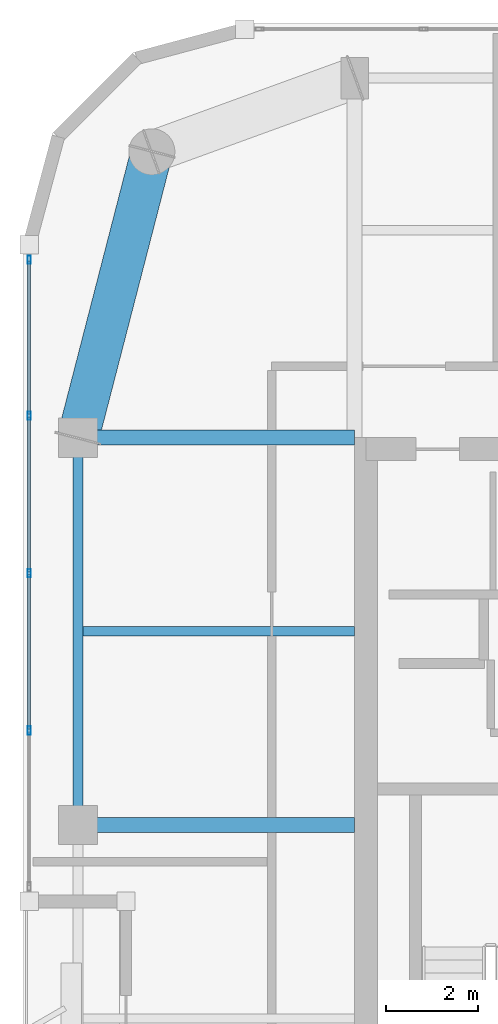
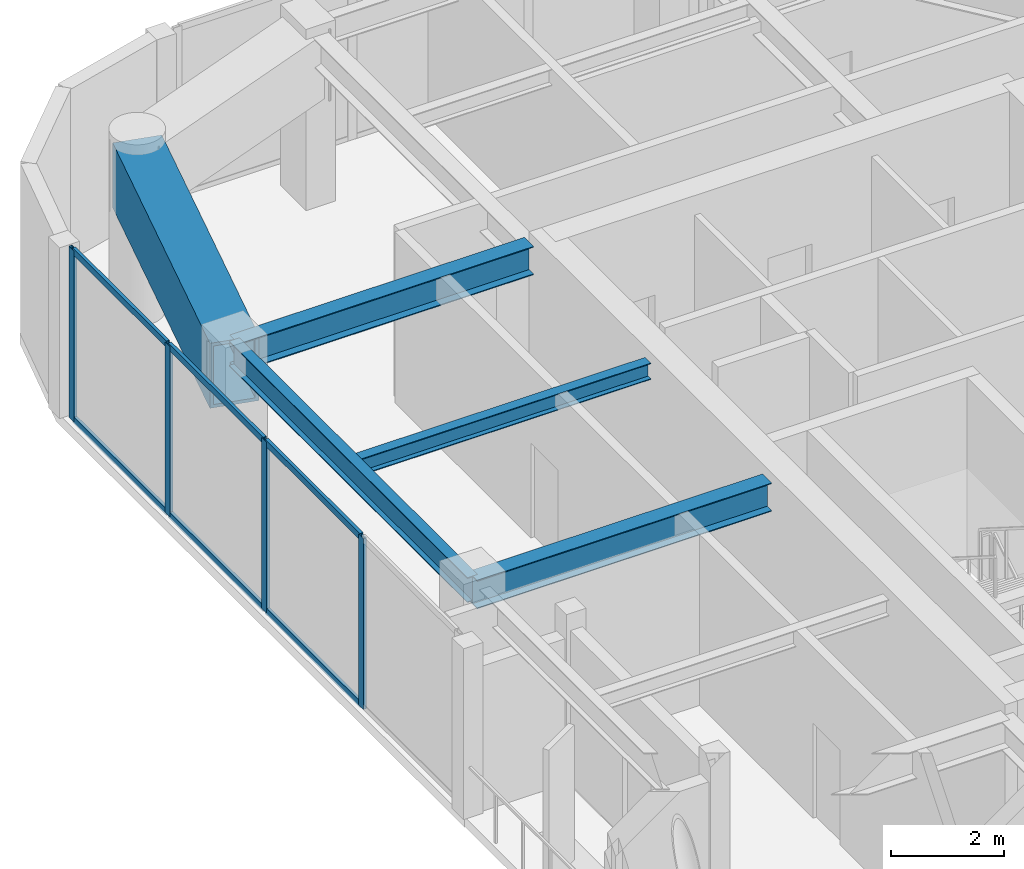
# One storey, part 4 of 16: 10 members, 5 beams, 1 element without a shape of its own.
"""IFC4 building model written with IfcOpenShell, lengths in metres."""

from ifc_helpers import new_model, si_unit, direction, frame, origin, origin_2d, place, context, subcontext, project, spatial, hollow_rectangle, i_section, extrude, material, layer, layer_set, material_profile, profile_set, type_object, element, aggregate, save


model = new_model("IFC4")

# Units and contexts
model_context = context("Model", 3, precision=1e-05, world=origin(), true_north=direction((0.0, 1.0)))
body_context = subcontext(model_context, "Body", "Model", "MODEL_VIEW")
ifc_project = project(units=[si_unit("LENGTHUNIT", "METRE"), si_unit("AREAUNIT", "SQUARE_METRE"), si_unit("VOLUMEUNIT", "CUBIC_METRE"), si_unit("PLANEANGLEUNIT", "RADIAN"), si_unit("MASSUNIT", "GRAM", prefix="KILO")], contexts=[model_context])

# Site, building, storey
site_placement = place(None, origin())
site = spatial("IfcSite", under=ifc_project, at=site_placement, CompositionType="ELEMENT")
building_placement = place(site_placement, origin())
building = spatial("IfcBuilding", under=site, at=building_placement, Name="Kiyonajd Concourse Tower", CompositionType="ELEMENT")
storey_placement = place(building_placement, frame((0.0, 0.0, 329.699951171875)))
storey = spatial("IfcBuildingStorey", under=building, at=storey_placement, Name="L83", CompositionType="ELEMENT", Elevation=329.699951171875)

# Beams
ifc_material_1 = material(Name="Steel ASTM A992 Grade 50", Category="steel")
ifc_material_profile_1 = material_profile(ifc_material_1, i_section(OverallWidth=0.205078125, OverallDepth=0.35400390625, WebThickness=0.009521484375, FlangeThickness=0.016845703125, at=origin_2d()), Name="W360X79")
ifc_profile_set_1 = profile_set([ifc_material_profile_1], Name="Steel ASTM A992 Grade 50")
beam_type_1 = type_object("IfcBeamType", Name="BM-JST-360", PredefinedType="JOIST", material=ifc_profile_set_1)
beam_1_placement = place(storey_placement, frame((26.505615234375, 40.199951171875, 3.5029296875), z_axis=(1.0, 0.0, 0.0), x_axis=(0.0, 1.0, 0.0)))
element("IfcBeam", 1, at=beam_1_placement, inside=storey, type_object=beam_type_1, Name="L83 West Secondary Floor Joist", PredefinedType="JOIST", context=body_context, shape_type="SweptSolid", body=[
    extrude(i_section(OverallWidth=0.205078125, OverallDepth=0.35400390625, WebThickness=0.009521484375, FlangeThickness=0.016845703125, at=origin_2d()), origin(), (0.0, 0.0, 1.0), 5.894287109375),
])
ifc_material_profile_2 = material_profile(ifc_material_1, i_section(OverallWidth=0.2109375, OverallDepth=0.5390625, WebThickness=0.01171875, FlangeThickness=0.018798828125, at=origin_2d()), Name="W530X109")
ifc_profile_set_2 = profile_set([ifc_material_profile_2], Name="Steel ASTM A992 Grade 50")
beam_type_2 = type_object("IfcBeamType", Name="BM-SPAN-530B", PredefinedType="SPANDREL", material=ifc_profile_set_2)
beam_2_placement = place(storey_placement, frame((26.39990234375, 44.39990234375, 3.41064453125), z_axis=(0.0, -1.0, 0.0), x_axis=(1.0, 0.0, 0.0)))
element("IfcBeam", 2, at=beam_2_placement, inside=storey, type_object=beam_type_2, Name="L83 Perimeter Bundled Tube Spandrel", PredefinedType="SPANDREL", context=body_context, shape_type="SweptSolid", body=[
    extrude(i_section(OverallWidth=0.2109375, OverallDepth=0.5390625, WebThickness=0.01171875, FlangeThickness=0.018798828125, at=origin_2d()), origin(), (0.0, 0.0, 1.0), 8.39990234375),
])
ifc_material_profile_3 = material_profile(ifc_material_1, i_section(OverallWidth=0.323974609375, OverallDepth=0.611083984375, WebThickness=0.0126953125, FlangeThickness=0.01904296875, at=origin_2d()), Name="W610X155")
ifc_profile_set_3 = profile_set([ifc_material_profile_3], Name="Steel ASTM A992 Grade 50")
beam_type_3 = type_object("IfcBeamType", Name="BM-TWR-610B", PredefinedType="BEAM", material=ifc_profile_set_3)
for number, where, z_axis, x_axis, name in (
    (3, (26.39990234375, 36.0, 3.37451171875), (1.0, 0.0, 0.0), (0.0, 1.0, 0.0), "L83 West Lease Girder"),
    (4, (26.39990234375, 44.39990234375, 3.37451171875), (1.0, 0.0, 0.0), (0.0, 1.0, 0.0), "L83 West Lease Girder"),
):
    element("IfcBeam", number, at=place(storey_placement, frame(where, z_axis=z_axis, x_axis=x_axis)), inside=storey, type_object=beam_type_3, Name=name, PredefinedType="BEAM", context=body_context, shape_type="SweptSolid", body=[
        extrude(i_section(OverallWidth=0.323974609375, OverallDepth=0.611083984375, WebThickness=0.0126953125, FlangeThickness=0.01904296875, at=origin_2d()), origin(), (0.0, 0.0, 1.0), 6.0),
    ])
ifc_material_2 = material(Name="Steel ASTM A572 Grade 50", Category="steel")
ifc_material_profile_4 = material_profile(ifc_material_2, hollow_rectangle(XDim=0.89990234375, YDim=1.39990234375, WallThickness=0.070068359375, at=origin_2d()), Name="BOX-1400x900x70")
ifc_profile_set_4 = profile_set([ifc_material_profile_4], Name="Steel ASTM A572 Grade 50")
beam_type_4 = type_object("IfcBeamType", Name="BM-XFER-1400", PredefinedType="BEAM", material=ifc_profile_set_4)
beam_3_placement = place(storey_placement, frame((28.0, 50.60009765625, 2.97998046875), z_axis=(-0.249884937687, -0.968275538221, 0.0), x_axis=(0.968275538221, -0.249884937687, 0.0)))
element("IfcBeam", 5, at=beam_3_placement, inside=storey, type_object=beam_type_4, Name="L83 Perimeter Bundled Tube Spandrel", PredefinedType="BEAM", context=body_context, shape_type="SweptSolid", body=[
    extrude(hollow_rectangle(XDim=0.89990234375, YDim=1.39990234375, WallThickness=0.070068359375, at=origin_2d()), origin(), (0.0, 0.0, 1.0), 6.4033203125),
])

# Curtain wall, members
ifc_material_3 = material(Name="Thermally Broken Anodised Aluminium", Category="aluminium")
ifc_layer = layer(ifc_material_3, 0.179931640625)
ifc_layer_set = layer_set([ifc_layer], Name="Thermally Broken Anodised Aluminium")
curtain_wall_type = type_object("IfcCurtainWallType", Name="CW-SYS-04", PredefinedType="NOTDEFINED", material=ifc_layer_set)
curtain_wall_placement = place(storey_placement, origin())
curtain_wall = element("IfcCurtainWall", 6, at=curtain_wall_placement, inside=storey, type_object=curtain_wall_type, Name="L83 Unitised Curtain Wall CW4", PredefinedType="NOTDEFINED")
ifc_material_profile_5 = material_profile(ifc_material_3, hollow_rectangle(XDim=0.06494140625, YDim=0.179931640625, WallThickness=0.00390625, at=origin_2d()), Name="MULL-65x180")
ifc_profile_set_5 = profile_set([ifc_material_profile_5], Name="Thermally Broken Anodised Aluminium")
member_type_1 = type_object("IfcMemberType", Name="MB-CW-MULL1", PredefinedType="MULLION", material=ifc_profile_set_5)
member_1_placement = place(storey_placement, frame((25.340087890625, 38.04541015625, 0.0), z_axis=(0.0, 0.0, 1.0), x_axis=(-1.0, 0.0, 0.0)))
member_1 = element("IfcMember", 7, at=member_1_placement, type_object=member_type_1, Name="CW4 mullion 2", PredefinedType="MULLION", context=body_context, shape_type="SweptSolid", body=[
    extrude(hollow_rectangle(XDim=0.06494140625, YDim=0.179931640625, WallThickness=0.00390625, at=origin_2d()), origin(), (0.0, 0.0, 1.0), 3.679931640625),
])
member_2_placement = place(storey_placement, frame((25.340087890625, 41.460693359375, 0.0), z_axis=(0.0, 0.0, 1.0), x_axis=(-1.0, 0.0, 0.0)))
member_2 = element("IfcMember", 8, at=member_2_placement, type_object=member_type_1, Name="CW4 mullion 3", PredefinedType="MULLION", context=body_context, shape_type="SweptSolid", body=[
    extrude(hollow_rectangle(XDim=0.06494140625, YDim=0.179931640625, WallThickness=0.00390625, at=origin_2d()), origin(), (0.0, 0.0, 1.0), 3.679931640625),
])
member_3_placement = place(storey_placement, frame((25.340087890625, 44.876220703125, 0.0), z_axis=(0.0, 0.0, 1.0), x_axis=(-1.0, 0.0, 0.0)))
member_3 = element("IfcMember", 9, at=member_3_placement, type_object=member_type_1, Name="CW4 mullion 4", PredefinedType="MULLION", context=body_context, shape_type="SweptSolid", body=[
    extrude(hollow_rectangle(XDim=0.06494140625, YDim=0.179931640625, WallThickness=0.00390625, at=origin_2d()), origin(), (0.0, 0.0, 1.0), 3.679931640625),
])
member_4_placement = place(storey_placement, frame((25.340087890625, 48.259033203125, 0.0), z_axis=(0.0, 0.0, 1.0), x_axis=(-1.0, 0.0, 0.0)))
member_4 = element("IfcMember", 10, at=member_4_placement, type_object=member_type_1, Name="CW4 mullion 5", PredefinedType="MULLION", context=body_context, shape_type="SweptSolid", body=[
    extrude(hollow_rectangle(XDim=0.06494140625, YDim=0.179931640625, WallThickness=0.00390625, at=origin_2d()), origin(), (0.0, 0.0, 1.0), 3.679931640625),
])
ifc_material_profile_6 = material_profile(ifc_material_3, hollow_rectangle(XDim=0.06494140625, YDim=0.139892578125, WallThickness=0.00390625, at=origin_2d()), Name="TRAN-65x140")
ifc_profile_set_6 = profile_set([ifc_material_profile_6], Name="Thermally Broken Anodised Aluminium")
member_type_2 = type_object("IfcMemberType", Name="MB-CW-TRAN1", PredefinedType="USERDEFINED", material=ifc_profile_set_6)
member_5_placement = place(storey_placement, frame((25.340087890625, 38.077880859375, 0.032470703125), z_axis=(0.0, 1.0, 0.0), x_axis=(-1.0, 0.0, 0.0)))
member_5 = element("IfcMember", 11, at=member_5_placement, type_object=member_type_2, Name="CW4 transom 2.1", ObjectType="TRANSOM", PredefinedType="USERDEFINED", context=body_context, shape_type="SweptSolid", body=[
    extrude(hollow_rectangle(XDim=0.06494140625, YDim=0.139892578125, WallThickness=0.00390625, at=origin_2d()), origin(), (0.0, 0.0, 1.0), 3.350341796875),
])
member_6_placement = place(storey_placement, frame((25.340087890625, 38.077880859375, 3.6474609375), z_axis=(0.0, 1.0, 0.0), x_axis=(-1.0, 0.0, 0.0)))
member_6 = element("IfcMember", 12, at=member_6_placement, type_object=member_type_2, Name="CW4 transom 2.2", ObjectType="TRANSOM", PredefinedType="USERDEFINED", context=body_context, shape_type="SweptSolid", body=[
    extrude(hollow_rectangle(XDim=0.06494140625, YDim=0.139892578125, WallThickness=0.00390625, at=origin_2d()), origin(), (0.0, 0.0, 1.0), 3.350341796875),
])
member_7_placement = place(storey_placement, frame((25.340087890625, 41.493408203125, 0.032470703125), z_axis=(0.0, 1.0, 0.0), x_axis=(-1.0, 0.0, 0.0)))
member_7 = element("IfcMember", 13, at=member_7_placement, type_object=member_type_2, Name="CW4 transom 3.1", ObjectType="TRANSOM", PredefinedType="USERDEFINED", context=body_context, shape_type="SweptSolid", body=[
    extrude(hollow_rectangle(XDim=0.06494140625, YDim=0.139892578125, WallThickness=0.00390625, at=origin_2d()), origin(), (0.0, 0.0, 1.0), 3.350341796875),
])
member_8_placement = place(storey_placement, frame((25.340087890625, 41.493408203125, 3.6474609375), z_axis=(0.0, 1.0, 0.0), x_axis=(-1.0, 0.0, 0.0)))
member_8 = element("IfcMember", 14, at=member_8_placement, type_object=member_type_2, Name="CW4 transom 3.2", ObjectType="TRANSOM", PredefinedType="USERDEFINED", context=body_context, shape_type="SweptSolid", body=[
    extrude(hollow_rectangle(XDim=0.06494140625, YDim=0.139892578125, WallThickness=0.00390625, at=origin_2d()), origin(), (0.0, 0.0, 1.0), 3.350341796875),
])
member_9_placement = place(storey_placement, frame((25.340087890625, 44.90869140625, 0.032470703125), z_axis=(0.0, 1.0, 0.0), x_axis=(-1.0, 0.0, 0.0)))
member_9 = element("IfcMember", 15, at=member_9_placement, type_object=member_type_2, Name="CW4 transom 4.1", ObjectType="TRANSOM", PredefinedType="USERDEFINED", context=body_context, shape_type="SweptSolid", body=[
    extrude(hollow_rectangle(XDim=0.06494140625, YDim=0.139892578125, WallThickness=0.00390625, at=origin_2d()), origin(), (0.0, 0.0, 1.0), 3.31787109375),
])
member_10_placement = place(storey_placement, frame((25.340087890625, 44.90869140625, 3.6474609375), z_axis=(0.0, 1.0, 0.0), x_axis=(-1.0, 0.0, 0.0)))
member_10 = element("IfcMember", 16, at=member_10_placement, type_object=member_type_2, Name="CW4 transom 4.2", ObjectType="TRANSOM", PredefinedType="USERDEFINED", context=body_context, shape_type="SweptSolid", body=[
    extrude(hollow_rectangle(XDim=0.06494140625, YDim=0.139892578125, WallThickness=0.00390625, at=origin_2d()), origin(), (0.0, 0.0, 1.0), 3.31787109375),
])
aggregate(curtain_wall, [member_1, member_2, member_3, member_4, member_5, member_6, member_7, member_8, member_9, member_10])

save(model, "model.ifc")
